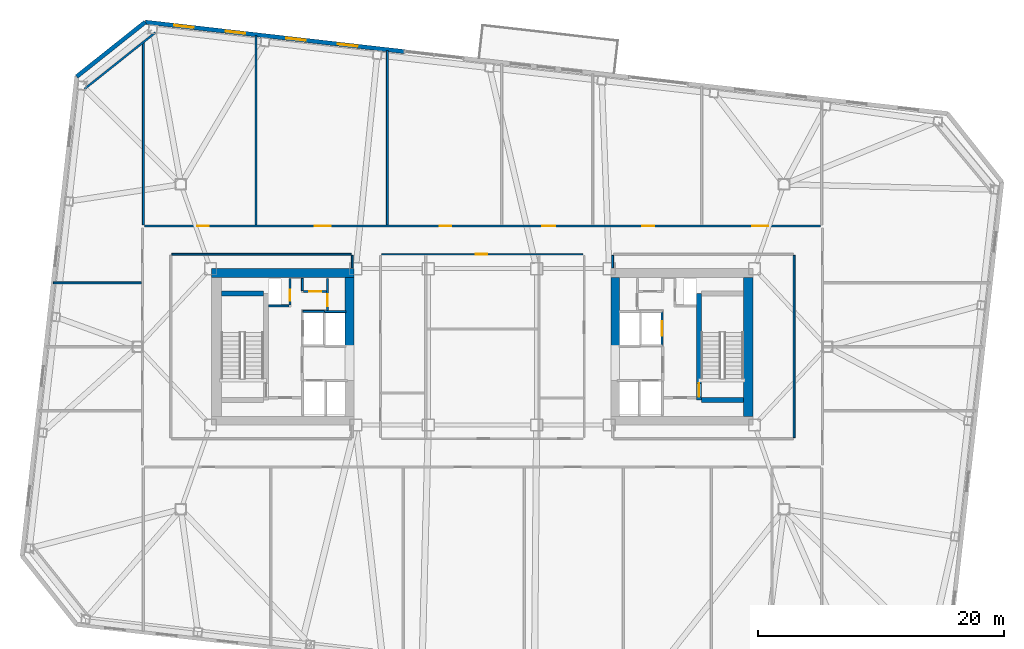
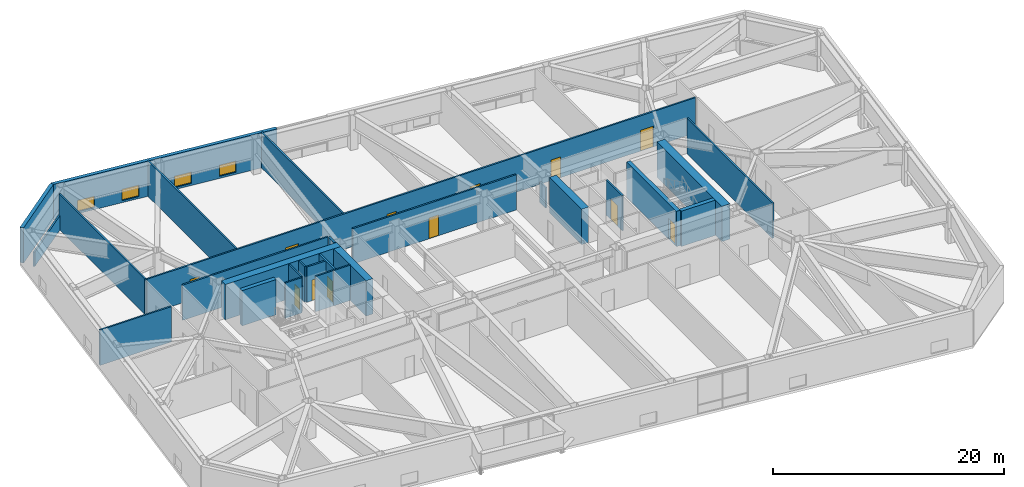
# One storey, part 13 of 21: 28 walls, 12 doors, 4 windows, 16 openings.
"""IFC4 building model written with IfcOpenShell, lengths in metres."""

from ifc_helpers import new_model, si_unit, direction, frame, frame_2d, origin, place, context, subcontext, project, spatial, rectangle, extrude, material, layer, layer_set, type_object, element, fill, save


model = new_model("IFC4")

# Units and contexts
model_context = context("Model", 3, precision=1e-05, world=origin(), true_north=direction((0.0, 1.0)))
body_context = subcontext(model_context, "Body", "Model", "MODEL_VIEW")
ifc_project = project(units=[si_unit("LENGTHUNIT", "METRE"), si_unit("AREAUNIT", "SQUARE_METRE"), si_unit("VOLUMEUNIT", "CUBIC_METRE"), si_unit("PLANEANGLEUNIT", "RADIAN"), si_unit("MASSUNIT", "GRAM", prefix="KILO")], contexts=[model_context])

# Site, building, storey
site_placement = place(None, origin())
site = spatial("IfcSite", under=ifc_project, at=site_placement, CompositionType="ELEMENT")
building_placement = place(site_placement, origin())
building = spatial("IfcBuilding", under=site, at=building_placement, Name="Tavrogorsk Clinical Tower", CompositionType="ELEMENT")
storey_placement = place(building_placement, frame((0.0, 0.0, 89.39990234375)))
storey = spatial("IfcBuildingStorey", under=building, at=storey_placement, Name="L19", CompositionType="ELEMENT", Elevation=89.39990234375)

# Wall, opening, door
ifc_material_1 = material(Name="Lightweight concrete blockwork B15", Category="masonry")
ifc_layer_1 = layer(ifc_material_1, 0.159912109375)
ifc_layer_set_1 = layer_set([ifc_layer_1], Name="Lightweight concrete blockwork B15")
wall_type_1 = type_object("IfcWallType", Name="PartitionWall_160", PredefinedType="PARTITIONING", material=ifc_layer_set_1)
wall_1_placement = place(storey_placement, frame((-12.580078125, 2.9599609375, 0.0), z_axis=(0.0, 0.0, 1.0), x_axis=(0.0, 1.0, 0.0)))
wall_1 = element("IfcWall", 1, at=wall_1_placement, inside=storey, type_object=wall_type_1, Name="L19 Core West Linen Closet Wall", PredefinedType="PARTITIONING", context=body_context, shape_type="SweptSolid", body=[
    extrude(rectangle(XDim=2.60009765625, YDim=0.159912109375, at=frame_2d((1.300048828125, 0.0))), origin(), (0.0, 0.0, 1.0), 3.739990234375),
])
opening_1_placement = place(wall_1_placement, frame((0.35009765625, 0.0, 0.0)))
opening_1 = element("IfcOpeningElement", 2, at=opening_1_placement, cuts=wall_1, Name="Opening ID-02", PredefinedType="OPENING", context=body_context, shape_type="SweptSolid", body=[
    extrude(rectangle(XDim=0.949951171875, YDim=2.199951171875, at=frame_2d((0.47509765625, 1.10009765625))), frame((0.0, 0.08984375, 0.0), z_axis=(0.0, -1.0, 0.0), x_axis=(1.0, 0.0, 0.0)), (0.0, 0.0, 1.0), 0.179931640625),
])
ifc_material_2 = material(Name="Laminated timber leaf on aluminium frame", Category="wood")
door_type_1 = type_object("IfcDoorType", Name="InteriorDoor_ID02_950", OperationType="NOTDEFINED", PredefinedType="DOOR", material=ifc_material_2)
door_1_placement = place(opening_1_placement, origin())
door_1 = element("IfcDoor", 3, at=door_1_placement, inside=storey, type_object=door_type_1, Name="L19 Core West Linen Closet Door", OperationType="SINGLE_SWING_LEFT", OverallHeight=2.199951171875, OverallWidth=0.949951171875, PredefinedType="DOOR", context=body_context, shape_type="SweptSolid", body=[
    extrude(rectangle(XDim=0.949951171875, YDim=2.199951171875, at=frame_2d((0.47509765625, 1.10009765625))), frame((0.0, 0.02490234375, 0.0), z_axis=(0.0, -1.0, 0.0), x_axis=(1.0, 0.0, 0.0)), (0.0, 0.0, 1.0), 0.050048828125),
])
fill(opening_1, door_1)

wall_2_placement = place(storey_placement, frame((-14.554931640625, 4.47998046875, 0.0), z_axis=(0.0, 0.0, 1.0), x_axis=(1.0, 0.0, 0.0)))
wall_2 = element("IfcWall", 4, at=wall_2_placement, inside=storey, type_object=wall_type_1, Name="L19 Core West Housekeeping South Wall", PredefinedType="PARTITIONING", context=body_context, shape_type="SweptSolid", body=[
    extrude(rectangle(XDim=1.889892578125, YDim=0.159912109375, at=frame_2d((0.94482421875, 0.0))), origin(), (0.0, 0.0, 1.0), 3.739990234375),
])
opening_2_placement = place(wall_2_placement, frame((0.5, 0.0, 0.0)))
opening_2 = element("IfcOpeningElement", 5, at=opening_2_placement, cuts=wall_2, Name="Opening ID-02", PredefinedType="OPENING", context=body_context, shape_type="SweptSolid", body=[
    extrude(rectangle(XDim=0.949951171875, YDim=2.199951171875, at=frame_2d((0.47509765625, 1.10009765625))), frame((0.0, 0.08984375, 0.0), z_axis=(0.0, -1.0, 0.0), x_axis=(1.0, 0.0, 0.0)), (0.0, 0.0, 1.0), 0.179931640625),
])
door_2_placement = place(opening_2_placement, origin())
door_2 = element("IfcDoor", 6, at=door_2_placement, inside=storey, type_object=door_type_1, Name="L19 Core West Housekeeping Closet Door", OperationType="SINGLE_SWING_RIGHT", OverallHeight=2.199951171875, OverallWidth=0.949951171875, PredefinedType="DOOR", context=body_context, shape_type="SweptSolid", body=[
    extrude(rectangle(XDim=0.949951171875, YDim=2.199951171875, at=frame_2d((0.47509765625, 1.10009765625))), frame((0.0, 0.02490234375, 0.0), z_axis=(0.0, -1.0, 0.0), x_axis=(1.0, 0.0, 0.0)), (0.0, 0.0, 1.0), 0.050048828125),
])
fill(opening_2, door_2)

# Walls
wall_3_placement = place(storey_placement, frame((-14.639892578125, 4.56494140625, 0.0), z_axis=(0.0, 0.0, 1.0), x_axis=(0.0, 1.0, 0.0)))
element("IfcWall", 7, at=wall_3_placement, inside=storey, type_object=wall_type_1, Name="L19 Core West Housekeeping East Wall", PredefinedType="PARTITIONING", context=body_context, shape_type="SweptSolid", body=[
    extrude(rectangle(XDim=0.9951171875, YDim=0.159912109375, at=frame_2d((0.49755859375, 0.0))), origin(), (0.0, 0.0, 1.0), 3.739990234375),
])
wall_4_placement = place(storey_placement, frame((-26.5712890625, 25.534912109375, 0.0), z_axis=(0.0, 0.0, 1.0), x_axis=(-0.782617962887, -0.622502308564, 0.0)))
element("IfcWall", 8, at=wall_4_placement, inside=storey, type_object=wall_type_1, Name="L19 Corner Exoskeleton Brace Furring Wall 3", PredefinedType="PARTITIONING", context=body_context, shape_type="SweptSolid", body=[
    extrude(rectangle(XDim=7.35400390625, YDim=0.159912109375, at=frame_2d((3.677001953125, 0.0))), origin(), (0.0, 0.0, 1.0), 1.53515625),
])

# Wall, openings, doors
wall_5_placement = place(storey_placement, frame((-27.465087890625, 9.830078125, 0.0), z_axis=(0.0, 0.0, 1.0), x_axis=(1.0, 0.0, 0.0)))
wall_5 = element("IfcWall", 9, at=wall_5_placement, inside=storey, type_object=wall_type_1, Name="L19 Corridor Partition 02", PredefinedType="PARTITIONING", context=body_context, shape_type="SweptSolid", body=[
    extrude(rectangle(XDim=54.93017578125, YDim=0.159912109375, at=frame_2d((27.465087890625, 0.0))), origin(), (0.0, 0.0, 1.0), 3.739990234375),
])
opening_3_placement = place(wall_5_placement, frame((4.294189453125, 0.0, 0.0)))
opening_3 = element("IfcOpeningElement", 10, at=opening_3_placement, cuts=wall_5, Name="Opening ID-02", PredefinedType="OPENING", context=body_context, shape_type="SweptSolid", body=[
    extrude(rectangle(XDim=0.949951171875, YDim=2.199951171875, at=frame_2d((0.47509765625, 1.10009765625))), frame((0.0, 0.08984375, 0.0), z_axis=(0.0, -1.0, 0.0), x_axis=(1.0, 0.0, 0.0)), (0.0, 0.0, 1.0), 0.179931640625),
])
opening_4_placement = place(wall_5_placement, frame((13.840087890625, 0.0, 0.0)))
opening_4 = element("IfcOpeningElement", 11, at=opening_4_placement, cuts=wall_5, Name="Opening ID-01", PredefinedType="OPENING", context=body_context, shape_type="SweptSolid", body=[
    extrude(rectangle(XDim=1.300048828125, YDim=2.199951171875, at=frame_2d((0.64990234375, 1.10009765625))), frame((0.0, 0.08984375, 0.0), z_axis=(0.0, -1.0, 0.0), x_axis=(1.0, 0.0, 0.0)), (0.0, 0.0, 1.0), 0.179931640625),
])
opening_5_placement = place(wall_5_placement, frame((23.9951171875, 0.0, 0.0)))
opening_5 = element("IfcOpeningElement", 12, at=opening_5_placement, cuts=wall_5, Name="Opening ID-02", PredefinedType="OPENING", context=body_context, shape_type="SweptSolid", body=[
    extrude(rectangle(XDim=0.949951171875, YDim=2.199951171875, at=frame_2d((0.47509765625, 1.10009765625))), frame((0.0, 0.08984375, 0.0), z_axis=(0.0, -1.0, 0.0), x_axis=(1.0, 0.0, 0.0)), (0.0, 0.0, 1.0), 0.179931640625),
])
opening_6_placement = place(wall_5_placement, frame((32.3349609375, 0.0, 0.0)))
opening_6 = element("IfcOpeningElement", 13, at=opening_6_placement, cuts=wall_5, Name="Opening ID-04", PredefinedType="OPENING", context=body_context, shape_type="SweptSolid", body=[
    extrude(rectangle(XDim=1.050048828125, YDim=2.199951171875, at=frame_2d((0.52490234375, 1.10009765625))), frame((0.0, 0.08984375, 0.0), z_axis=(0.0, -1.0, 0.0), x_axis=(1.0, 0.0, 0.0)), (0.0, 0.0, 1.0), 0.179931640625),
])
opening_7_placement = place(wall_5_placement, frame((40.455078125, 0.0, 0.0)))
opening_7 = element("IfcOpeningElement", 14, at=opening_7_placement, cuts=wall_5, Name="Opening ID-02", PredefinedType="OPENING", context=body_context, shape_type="SweptSolid", body=[
    extrude(rectangle(XDim=0.949951171875, YDim=2.199951171875, at=frame_2d((0.47509765625, 1.10009765625))), frame((0.0, 0.08984375, 0.0), z_axis=(0.0, -1.0, 0.0), x_axis=(1.0, 0.0, 0.0)), (0.0, 0.0, 1.0), 0.179931640625),
])
opening_8_placement = place(wall_5_placement, frame((49.380859375, 0.0, 0.0)))
opening_8 = element("IfcOpeningElement", 15, at=opening_8_placement, cuts=wall_5, Name="Opening ID-01", PredefinedType="OPENING", context=body_context, shape_type="SweptSolid", body=[
    extrude(rectangle(XDim=1.300048828125, YDim=2.199951171875, at=frame_2d((0.64990234375, 1.10009765625))), frame((0.0, 0.08984375, 0.0), z_axis=(0.0, -1.0, 0.0), x_axis=(1.0, 0.0, 0.0)), (0.0, 0.0, 1.0), 0.179931640625),
])
ifc_material_3 = material(Name="Antibacterial HPL consultation door on aluminium frame", Category="aluminium")
door_type_2 = type_object("IfcDoorType", Name="ConsultDoor_ID04_1050", OperationType="NOTDEFINED", PredefinedType="DOOR", material=ifc_material_3)
door_3_placement = place(opening_6_placement, origin())
door_3 = element("IfcDoor", 16, at=door_3_placement, inside=storey, type_object=door_type_2, Name="L19 Terrace Recuperation Day Room & Lounge Door", OperationType="SINGLE_SWING_RIGHT", OverallHeight=2.199951171875, OverallWidth=1.050048828125, PredefinedType="DOOR", context=body_context, shape_type="SweptSolid", body=[
    extrude(rectangle(XDim=1.050048828125, YDim=2.199951171875, at=frame_2d((0.52490234375, 1.10009765625))), frame((0.0, 0.02490234375, 0.0), z_axis=(0.0, -1.0, 0.0), x_axis=(1.0, 0.0, 0.0)), (0.0, 0.0, 1.0), 0.050048828125),
])
fill(opening_6, door_3)
door_4_placement = place(opening_3_placement, origin())
door_4 = element("IfcDoor", 17, at=door_4_placement, inside=storey, type_object=door_type_1, Name="L19 North Physiotherapy Rehab Studio 01 Door", OperationType="SINGLE_SWING_LEFT", OverallHeight=2.199951171875, OverallWidth=0.949951171875, PredefinedType="DOOR", context=body_context, shape_type="SweptSolid", body=[
    extrude(rectangle(XDim=0.949951171875, YDim=2.199951171875, at=frame_2d((0.47509765625, 1.10009765625))), frame((0.0, 0.02490234375, 0.0), z_axis=(0.0, -1.0, 0.0), x_axis=(1.0, 0.0, 0.0)), (0.0, 0.0, 1.0), 0.050048828125),
])
fill(opening_3, door_4)
door_5_placement = place(opening_5_placement, origin())
door_5 = element("IfcDoor", 18, at=door_5_placement, inside=storey, type_object=door_type_1, Name="L19 North Clinical Examination Suite 02B Door", OperationType="SINGLE_SWING_LEFT", OverallHeight=2.199951171875, OverallWidth=0.949951171875, PredefinedType="DOOR", context=body_context, shape_type="SweptSolid", body=[
    extrude(rectangle(XDim=0.949951171875, YDim=2.199951171875, at=frame_2d((0.47509765625, 1.10009765625))), frame((0.0, 0.02490234375, 0.0), z_axis=(0.0, -1.0, 0.0), x_axis=(1.0, 0.0, 0.0)), (0.0, 0.0, 1.0), 0.050048828125),
])
fill(opening_5, door_5)
door_6_placement = place(opening_7_placement, origin())
door_6 = element("IfcDoor", 19, at=door_6_placement, inside=storey, type_object=door_type_1, Name="L19 North Patient & Family Quiet Lounge 04 Door", OperationType="SINGLE_SWING_LEFT", OverallHeight=2.199951171875, OverallWidth=0.949951171875, PredefinedType="DOOR", context=body_context, shape_type="SweptSolid", body=[
    extrude(rectangle(XDim=0.949951171875, YDim=2.199951171875, at=frame_2d((0.47509765625, 1.10009765625))), frame((0.0, 0.02490234375, 0.0), z_axis=(0.0, -1.0, 0.0), x_axis=(1.0, 0.0, 0.0)), (0.0, 0.0, 1.0), 0.050048828125),
])
fill(opening_7, door_6)
ifc_material_4 = material(Name="Antibacterial HPL medical leaf on aluminium frame", Category="aluminium")
door_type_3 = type_object("IfcDoorType", Name="WardBedDoor_ID01_1300", OperationType="NOTDEFINED", PredefinedType="DOOR", material=ifc_material_4)
door_7_placement = place(opening_4_placement, origin())
door_7 = element("IfcDoor", 20, at=door_7_placement, inside=storey, type_object=door_type_3, Name="L19 North Step-Down Telemetry Ward 02A Door", OperationType="SINGLE_SWING_RIGHT", OverallHeight=2.199951171875, OverallWidth=1.300048828125, PredefinedType="DOOR", context=body_context, shape_type="SweptSolid", body=[
    extrude(rectangle(XDim=1.300048828125, YDim=2.199951171875, at=frame_2d((0.64990234375, 1.10009765625))), frame((0.0, 0.02490234375, 0.0), z_axis=(0.0, -1.0, 0.0), x_axis=(1.0, 0.0, 0.0)), (0.0, 0.0, 1.0), 0.050048828125),
])
fill(opening_4, door_7)
door_8_placement = place(opening_8_placement, origin())
door_8 = element("IfcDoor", 21, at=door_8_placement, inside=storey, type_object=door_type_3, Name="L19 North Acute Isolation Suite 05 Door", OperationType="SINGLE_SWING_RIGHT", OverallHeight=2.199951171875, OverallWidth=1.300048828125, PredefinedType="DOOR", context=body_context, shape_type="SweptSolid", body=[
    extrude(rectangle(XDim=1.300048828125, YDim=2.199951171875, at=frame_2d((0.64990234375, 1.10009765625))), frame((0.0, 0.02490234375, 0.0), z_axis=(0.0, -1.0, 0.0), x_axis=(1.0, 0.0, 0.0)), (0.0, 0.0, 1.0), 0.050048828125),
])
fill(opening_8, door_8)

# Walls
wall_6_placement = place(storey_placement, frame((10.580078125, 7.43505859375, 0.0), z_axis=(0.0, 0.0, 1.0), x_axis=(0.0, -1.0, 0.0)))
element("IfcWall", 22, at=wall_6_placement, inside=storey, type_object=wall_type_1, Name="L19 Corridor Partition 06", PredefinedType="PARTITIONING", context=body_context, shape_type="SweptSolid", body=[
    extrude(rectangle(XDim=1.01513671875, YDim=0.159912109375, at=frame_2d((0.507568359375, 0.0))), origin(), (0.0, 0.0, 1.0), 2.135009765625),
])
wall_7_placement = place(storey_placement, frame((25.320068359375, -7.385009765625, 0.0), z_axis=(0.0, 0.0, 1.0), x_axis=(0.0, 1.0, 0.0)))
element("IfcWall", 23, at=wall_7_placement, inside=storey, type_object=wall_type_1, Name="L19 Corridor Partition 09", PredefinedType="PARTITIONING", context=body_context, shape_type="SweptSolid", body=[
    extrude(rectangle(XDim=14.820068359375, YDim=0.159912109375, at=frame_2d((7.41015625, 0.0))), origin(), (0.0, 0.0, 1.0), 3.739990234375),
])

# Wall, opening, door
wall_8_placement = place(storey_placement, frame((8.18505859375, 7.52001953125, 0.0), z_axis=(0.0, 0.0, 1.0), x_axis=(-1.0, 0.0, 0.0)))
wall_8 = element("IfcWall", 24, at=wall_8_placement, inside=storey, type_object=wall_type_1, Name="L19 Corridor Partition 11", PredefinedType="PARTITIONING", context=body_context, shape_type="SweptSolid", body=[
    extrude(rectangle(XDim=16.3701171875, YDim=0.159912109375, at=frame_2d((8.18505859375, 0.0))), origin(), (0.0, 0.0, 1.0), 3.739990234375),
])
opening_9_placement = place(wall_8_placement, frame((7.794921875, 0.0, 0.0)))
opening_9 = element("IfcOpeningElement", 25, at=opening_9_placement, cuts=wall_8, Name="Opening ID-02", PredefinedType="OPENING", context=body_context, shape_type="SweptSolid", body=[
    extrude(rectangle(XDim=0.949951171875, YDim=2.199951171875, at=frame_2d((0.47509765625, 1.10009765625))), frame((0.0, 0.08984375, 0.0), z_axis=(0.0, -1.0, 0.0), x_axis=(1.0, 0.0, 0.0)), (0.0, 0.0, 1.0), 0.179931640625),
])
door_9_placement = place(opening_9_placement, origin())
door_9 = element("IfcDoor", 26, at=door_9_placement, inside=storey, type_object=door_type_1, Name="L19 Nurses' Station & Triage Hub Door", OperationType="SINGLE_SWING_LEFT", OverallHeight=2.199951171875, OverallWidth=0.949951171875, PredefinedType="DOOR", context=body_context, shape_type="SweptSolid", body=[
    extrude(rectangle(XDim=0.949951171875, YDim=2.199951171875, at=frame_2d((0.47509765625, 1.10009765625))), frame((0.0, 0.02490234375, 0.0), z_axis=(0.0, -1.0, 0.0), x_axis=(1.0, 0.0, 0.0)), (0.0, 0.0, 1.0), 0.050048828125),
])
fill(opening_9, door_9)

# Walls
wall_9_placement = place(storey_placement, frame((-10.580078125, 6.419921875, 0.0), z_axis=(0.0, 0.0, 1.0), x_axis=(0.0, 1.0, 0.0)))
element("IfcWall", 27, at=wall_9_placement, inside=storey, type_object=wall_type_1, Name="L19 Corridor Partition 15", PredefinedType="PARTITIONING", context=body_context, shape_type="SweptSolid", body=[
    extrude(rectangle(XDim=1.01513671875, YDim=0.159912109375, at=frame_2d((0.507568359375, 0.0))), origin(), (0.0, 0.0, 1.0), 3.739990234375),
])
wall_10_placement = place(storey_placement, frame((-10.6650390625, 7.52001953125, 0.0), z_axis=(0.0, 0.0, 1.0), x_axis=(-1.0, 0.0, 0.0)))
element("IfcWall", 28, at=wall_10_placement, inside=storey, type_object=wall_type_1, Name="L19 Corridor Partition 16", PredefinedType="PARTITIONING", context=body_context, shape_type="SweptSolid", body=[
    extrude(rectangle(XDim=14.570068359375, YDim=0.159912109375, at=frame_2d((7.28515625, 0.0))), origin(), (0.0, 0.0, 1.0), 3.739990234375),
])
wall_11_placement = place(storey_placement, frame((-27.550048828125, 9.9150390625, 0.0), z_axis=(0.0, 0.0, 1.0), x_axis=(0.0, 1.0, 0.0)))
element("IfcWall", 29, at=wall_11_placement, inside=storey, type_object=wall_type_1, Name="L19 NW Wing Closure Partition", PredefinedType="PARTITIONING", context=body_context, shape_type="SweptSolid", body=[
    extrude(rectangle(XDim=14.858642578125, YDim=0.159912109375, at=frame_2d((7.42919921875, 0.0))), origin(), (0.0, 0.0, 1.0), 3.739990234375),
])
wall_12_placement = place(storey_placement, frame((-18.39990234375, 9.9150390625, 0.0), z_axis=(0.0, 0.0, 1.0), x_axis=(0.0, 1.0, 0.0)))
element("IfcWall", 30, at=wall_12_placement, inside=storey, type_object=wall_type_1, Name="L19 North Room Partition 1", PredefinedType="PARTITIONING", context=body_context, shape_type="SweptSolid", body=[
    extrude(rectangle(XDim=15.373779296875, YDim=0.159912109375, at=frame_2d((7.68701171875, 0.0))), origin(), (0.0, 0.0, 1.0), 3.739990234375),
])
wall_13_placement = place(storey_placement, frame((-7.719970703125, 9.9150390625, 0.0), z_axis=(0.0, 0.0, 1.0), x_axis=(0.0, 1.0, 0.0)))
element("IfcWall", 31, at=wall_13_placement, inside=storey, type_object=wall_type_1, Name="L19 North Sub-Partition 2", PredefinedType="PARTITIONING", context=body_context, shape_type="SweptSolid", body=[
    extrude(rectangle(XDim=14.156982421875, YDim=0.159912109375, at=frame_2d((7.07861328125, 0.0))), origin(), (0.0, 0.0, 1.0), 3.739990234375),
])
wall_14_placement = place(storey_placement, frame((-34.857177734375, 5.199951171875, 0.0), z_axis=(0.0, 0.0, 1.0), x_axis=(1.0, 0.0, 0.0)))
element("IfcWall", 32, at=wall_14_placement, inside=storey, type_object=wall_type_1, Name="L19 W Wing Divider 3", PredefinedType="PARTITIONING", context=body_context, shape_type="SweptSolid", body=[
    extrude(rectangle(XDim=7.14208984375, YDim=0.159912109375, at=frame_2d((3.571044921875, 0.0))), origin(), (0.0, 0.0, 1.0), 3.739990234375),
])

# Wall, openings, windows
ifc_material_5 = material(Name="Precast concrete B45 with limestone cladding", Category="masonry")
ifc_layer_2 = layer(ifc_material_5, 0.340087890625)
ifc_layer_set_2 = layer_set([ifc_layer_2], Name="Precast concrete B45 with limestone cladding")
wall_type_2 = type_object("IfcWallType", Name="PrecastLimestoneWall_340", PredefinedType="STANDARD", material=ifc_layer_set_2)
wall_15_placement = place(storey_placement, frame((-6.314453125, 23.982177734375, 0.0), z_axis=(0.0, 0.0, 1.0), x_axis=(-0.993571362037, 0.113207546299, 0.0)))
wall_15 = element("IfcWall", 33, at=wall_15_placement, inside=storey, type_object=wall_type_2, Name="L19 N Limestone Facade Wall 3", PredefinedType="STANDARD", context=body_context, shape_type="SweptSolid", body=[
    extrude(rectangle(XDim=21.222900390625, YDim=0.340087890625, at=frame_2d((10.611328125, 0.0))), origin(), (0.0, 0.0, 1.0), 3.739990234375),
])
opening_10_placement = place(wall_15_placement, frame((17.264892578125, 0.0, 0.219970703125)))
opening_10 = element("IfcOpeningElement", 34, at=opening_10_placement, cuts=wall_15, Name="Opening WN-09", PredefinedType="OPENING", context=body_context, shape_type="SweptSolid", body=[
    extrude(rectangle(XDim=1.60009765625, YDim=1.199951171875, at=frame_2d((0.800048828125, 0.60009765625))), frame((0.0, 0.179931640625, 0.0), z_axis=(0.0, -1.0, 0.0), x_axis=(1.0, 0.0, 0.0)), (0.0, 0.0, 1.0), 0.360107421875),
])
opening_11_placement = place(wall_15_placement, frame((13.043701171875, 0.0, 0.219970703125)))
opening_11 = element("IfcOpeningElement", 35, at=opening_11_placement, cuts=wall_15, Name="Opening WN-09", PredefinedType="OPENING", context=body_context, shape_type="SweptSolid", body=[
    extrude(rectangle(XDim=1.60009765625, YDim=1.199951171875, at=frame_2d((0.800048828125, 0.60009765625))), frame((0.0, 0.179931640625, 0.0), z_axis=(0.0, -1.0, 0.0), x_axis=(1.0, 0.0, 0.0)), (0.0, 0.0, 1.0), 0.360107421875),
])
opening_12_placement = place(wall_15_placement, frame((8.087890625, 0.0, 0.219970703125)))
opening_12 = element("IfcOpeningElement", 36, at=opening_12_placement, cuts=wall_15, Name="Opening WN-09", PredefinedType="OPENING", context=body_context, shape_type="SweptSolid", body=[
    extrude(rectangle(XDim=1.60009765625, YDim=1.199951171875, at=frame_2d((0.800048828125, 0.60009765625))), frame((0.0, 0.179931640625, 0.0), z_axis=(0.0, -1.0, 0.0), x_axis=(1.0, 0.0, 0.0)), (0.0, 0.0, 1.0), 0.360107421875),
])
opening_13_placement = place(wall_15_placement, frame((3.866455078125, 0.0, 0.219970703125)))
opening_13 = element("IfcOpeningElement", 37, at=opening_13_placement, cuts=wall_15, Name="Opening WN-09", PredefinedType="OPENING", context=body_context, shape_type="SweptSolid", body=[
    extrude(rectangle(XDim=1.60009765625, YDim=1.199951171875, at=frame_2d((0.800048828125, 0.60009765625))), frame((0.0, 0.179931640625, 0.0), z_axis=(0.0, -1.0, 0.0), x_axis=(1.0, 0.0, 0.0)), (0.0, 0.0, 1.0), 0.360107421875),
])
ifc_material_6 = material(Name="Thermally broken aluminium frame and triple IGU", Category="aluminium")
window_type = type_object("IfcWindowType", Name="LowHeadTransWin_1600x1200", PartitioningType="DOUBLE_PANEL_VERTICAL", PredefinedType="WINDOW", material=ifc_material_6)
window_1_placement = place(opening_10_placement, origin())
window_1 = element("IfcWindow", 38, at=window_1_placement, inside=storey, type_object=window_type, Name="L19 N Chicago Window 01", OverallHeight=1.199951171875, OverallWidth=1.60009765625, PartitioningType="SINGLE_PANEL", PredefinedType="WINDOW", context=body_context, shape_type="SweptSolid", body=[
    extrude(rectangle(XDim=1.60009765625, YDim=1.199951171875, at=frame_2d((0.800048828125, 0.60009765625))), frame((0.0, 0.030029296875, 0.0), z_axis=(0.0, -1.0, 0.0), x_axis=(1.0, 0.0, 0.0)), (0.0, 0.0, 1.0), 0.06005859375),
])
fill(opening_10, window_1)
window_2_placement = place(opening_11_placement, origin())
window_2 = element("IfcWindow", 39, at=window_2_placement, inside=storey, type_object=window_type, Name="L19 N Chicago Window 02", OverallHeight=1.199951171875, OverallWidth=1.60009765625, PartitioningType="SINGLE_PANEL", PredefinedType="WINDOW", context=body_context, shape_type="SweptSolid", body=[
    extrude(rectangle(XDim=1.60009765625, YDim=1.199951171875, at=frame_2d((0.800048828125, 0.60009765625))), frame((0.0, 0.030029296875, 0.0), z_axis=(0.0, -1.0, 0.0), x_axis=(1.0, 0.0, 0.0)), (0.0, 0.0, 1.0), 0.06005859375),
])
fill(opening_11, window_2)
window_3_placement = place(opening_12_placement, origin())
window_3 = element("IfcWindow", 40, at=window_3_placement, inside=storey, type_object=window_type, Name="L19 N Chicago Window 03", OverallHeight=1.199951171875, OverallWidth=1.60009765625, PartitioningType="SINGLE_PANEL", PredefinedType="WINDOW", context=body_context, shape_type="SweptSolid", body=[
    extrude(rectangle(XDim=1.60009765625, YDim=1.199951171875, at=frame_2d((0.800048828125, 0.60009765625))), frame((0.0, 0.030029296875, 0.0), z_axis=(0.0, -1.0, 0.0), x_axis=(1.0, 0.0, 0.0)), (0.0, 0.0, 1.0), 0.06005859375),
])
fill(opening_12, window_3)
window_4_placement = place(opening_13_placement, origin())
window_4 = element("IfcWindow", 41, at=window_4_placement, inside=storey, type_object=window_type, Name="L19 N Chicago Window 04", OverallHeight=1.199951171875, OverallWidth=1.60009765625, PartitioningType="SINGLE_PANEL", PredefinedType="WINDOW", context=body_context, shape_type="SweptSolid", body=[
    extrude(rectangle(XDim=1.60009765625, YDim=1.199951171875, at=frame_2d((0.800048828125, 0.60009765625))), frame((0.0, 0.030029296875, 0.0), z_axis=(0.0, -1.0, 0.0), x_axis=(1.0, 0.0, 0.0)), (0.0, 0.0, 1.0), 0.06005859375),
])
fill(opening_13, window_4)

# Walls
wall_16_placement = place(storey_placement, frame((-27.40087890625, 26.384765625, 0.0), z_axis=(0.0, 0.0, 1.0), x_axis=(-0.78261359446, -0.622507800567, 0.0)))
element("IfcWall", 42, at=wall_16_placement, inside=storey, type_object=wall_type_2, Name="L19 Chamfered Corner Wall 3", PredefinedType="STANDARD", context=body_context, shape_type="SweptSolid", body=[
    extrude(rectangle(XDim=7.113525390625, YDim=0.340087890625, at=frame_2d((3.556640625, 0.0))), origin(), (0.0, 0.0, 1.0), 3.739990234375),
])
ifc_material_7 = material(Name="Lightweight concrete blockwork B25", Category="masonry")
ifc_layer_3 = layer(ifc_material_7, 0.159912109375)
ifc_layer_set_3 = layer_set([ifc_layer_3], Name="Lightweight concrete blockwork B25")
wall_type_3 = type_object("IfcWallType", Name="ShaftWall_160", PredefinedType="PARTITIONING", material=ifc_layer_set_3)
wall_17_placement = place(storey_placement, frame((-14.60009765625, 2.8798828125, 0.0), z_axis=(0.0, 0.0, 1.0), x_axis=(1.0, 0.0, 0.0)))
element("IfcWall", 43, at=wall_17_placement, inside=storey, type_object=wall_type_3, Name="L19 FFL-W Shaft North Wall", PredefinedType="PARTITIONING", context=body_context, shape_type="SweptSolid", body=[
    extrude(rectangle(XDim=1.760009765625, YDim=0.159912109375, at=frame_2d((0.8798828125, 0.0))), origin(), (0.0, 0.0, 1.0), 3.739990234375),
])
wall_18_placement = place(storey_placement, frame((-12.820068359375, 2.860107421875, 0.0), z_axis=(0.0, 0.0, 1.0), x_axis=(1.0, 0.0, 0.0)))
element("IfcWall", 44, at=wall_18_placement, inside=storey, type_object=wall_type_3, Name="L19 LP-H1 High-Zone Lift Rear Wall", PredefinedType="PARTITIONING", context=body_context, shape_type="SweptSolid", body=[
    extrude(rectangle(XDim=1.719970703125, YDim=0.159912109375, at=frame_2d((0.85986328125, 0.0))), origin(), (0.0, 0.0, 1.0), 3.739990234375),
])

# Wall, opening, door
wall_19_placement = place(storey_placement, frame((14.60009765625, 0.1201171875, 0.0), z_axis=(0.0, 0.0, 1.0), x_axis=(0.0, 1.0, 0.0)))
wall_19 = element("IfcWall", 45, at=wall_19_placement, inside=storey, type_object=wall_type_3, Name="L19 FFL-E Firefighting Lift Front Wall", PredefinedType="PARTITIONING", context=body_context, shape_type="SweptSolid", body=[
    extrude(rectangle(XDim=2.739990234375, YDim=0.159912109375, at=frame_2d((1.3701171875, 0.0))), origin(), (0.0, 0.0, 1.0), 3.739990234375),
])
opening_14_placement = place(wall_19_placement, frame((0.77001953125, 0.0, 0.0)))
opening_14 = element("IfcOpeningElement", 46, at=opening_14_placement, cuts=wall_19, Name="Opening LD", PredefinedType="OPENING", context=body_context, shape_type="SweptSolid", body=[
    extrude(rectangle(XDim=1.199951171875, YDim=2.199951171875, at=frame_2d((0.60009765625, 1.10009765625))), frame((0.0, 0.08984375, 0.0), z_axis=(0.0, -1.0, 0.0), x_axis=(1.0, 0.0, 0.0)), (0.0, 0.0, 1.0), 0.179931640625),
])
ifc_material_8 = material(Name="Brushed stainless steel AISI 304 sliding doors", Category="steel")
door_type_4 = type_object("IfcDoorType", Name="LiftLandingDoor_LD_1200", OperationType="SLIDING_TO_LEFT", PredefinedType="DOOR", material=ifc_material_8)
door_10_placement = place(opening_14_placement, origin())
door_10 = element("IfcDoor", 47, at=door_10_placement, inside=storey, type_object=door_type_4, Name="L19 FFL-E Sliding Lift Landing Door", OperationType="SLIDING_TO_LEFT", OverallHeight=2.199951171875, OverallWidth=1.199951171875, PredefinedType="DOOR", context=body_context, shape_type="SweptSolid", body=[
    extrude(rectangle(XDim=1.199951171875, YDim=2.199951171875, at=frame_2d((0.60009765625, 1.10009765625))), frame((0.0, 0.02490234375, 0.0), z_axis=(0.0, -1.0, 0.0), x_axis=(1.0, 0.0, 0.0)), (0.0, 0.0, 1.0), 0.050048828125),
])
fill(opening_14, door_10)

wall_20_placement = place(storey_placement, frame((-15.639892578125, 3.405029296875, 0.0), z_axis=(0.0, 0.0, 1.0), x_axis=(0.0, 1.0, 0.0)))
wall_20 = element("IfcWall", 48, at=wall_20_placement, inside=storey, type_object=wall_type_3, Name="L19 Core West Riser West Wall", PredefinedType="PARTITIONING", context=body_context, shape_type="SweptSolid", body=[
    extrude(rectangle(XDim=2.155029296875, YDim=0.159912109375, at=frame_2d((1.07763671875, 0.0))), origin(), (0.0, 0.0, 1.0), 3.739990234375),
])
opening_15_placement = place(wall_20_placement, frame((0.35009765625, 0.0, 0.0)))
opening_15 = element("IfcOpeningElement", 49, at=opening_15_placement, cuts=wall_20, Name="Opening FD-02", PredefinedType="OPENING", context=body_context, shape_type="SweptSolid", body=[
    extrude(rectangle(XDim=0.89990234375, YDim=2.199951171875, at=frame_2d((0.449951171875, 1.10009765625))), frame((0.0, 0.08984375, 0.0), z_axis=(0.0, -1.0, 0.0), x_axis=(1.0, 0.0, 0.0)), (0.0, 0.0, 1.0), 0.179931640625),
])
ifc_material_9 = material(Name="Galvanised steel fire-rated door assembly", Category="steel")
door_type_5 = type_object("IfcDoorType", Name="FireDoor_FD02_900", OperationType="NOTDEFINED", PredefinedType="DOOR", material=ifc_material_9)
door_11_placement = place(opening_15_placement, origin())
door_11 = element("IfcDoor", 50, at=door_11_placement, inside=storey, type_object=door_type_5, Name="L19 Core West Electrical Riser Access Door", OperationType="SINGLE_SWING_LEFT", OverallHeight=2.199951171875, OverallWidth=0.89990234375, PredefinedType="DOOR", context=body_context, shape_type="SweptSolid", body=[
    extrude(rectangle(XDim=0.89990234375, YDim=2.199951171875, at=frame_2d((0.449951171875, 1.10009765625))), frame((0.0, 0.02490234375, 0.0), z_axis=(0.0, -1.0, 0.0), x_axis=(1.0, 0.0, 0.0)), (0.0, 0.0, 1.0), 0.050048828125),
])
fill(opening_15, door_11)

# Walls
wall_21_placement = place(storey_placement, frame((-17.3798828125, 3.320068359375, 0.0), z_axis=(0.0, 0.0, 1.0), x_axis=(1.0, 0.0, 0.0)))
element("IfcWall", 51, at=wall_21_placement, inside=storey, type_object=wall_type_3, Name="L19 Core West Riser South Wall", PredefinedType="PARTITIONING", context=body_context, shape_type="SweptSolid", body=[
    extrude(rectangle(XDim=1.65478515625, YDim=0.159912109375, at=frame_2d((0.827392578125, 0.0))), origin(), (0.0, 0.0, 1.0), 3.739990234375),
])
ifc_material_10 = material(Name="Concrete B80", Category="concrete")
ifc_layer_4 = layer(ifc_material_10, 0.39990234375)
ifc_layer_set_4 = layer_set([ifc_layer_4], Name="Concrete B80")
wall_type_4 = type_object("IfcWallType", Name="ShearWall_400", PredefinedType="SHEAR", material=ifc_layer_set_4)
wall_22_placement = place(storey_placement, frame((-21.199951171875, 4.324951171875, 0.0), z_axis=(0.0, 0.0, 1.0), x_axis=(1.0, 0.0, 0.0)))
element("IfcWall", 52, at=wall_22_placement, inside=storey, type_object=wall_type_4, Name="L19 Core West Stair Shaft North Shear Wall", PredefinedType="SHEAR", context=body_context, shape_type="SweptSolid", body=[
    extrude(rectangle(XDim=3.39990234375, YDim=0.39990234375, at=frame_2d((1.699951171875, 0.0))), origin(), (0.0, 0.0, 1.0), 3.739990234375),
])

# Wall, opening, door
wall_23_placement = place(storey_placement, frame((17.60009765625, -4.324951171875, 0.0), z_axis=(0.0, 0.0, 1.0), x_axis=(0.0, 1.0, 0.0)))
wall_23 = element("IfcWall", 53, at=wall_23_placement, inside=storey, type_object=wall_type_4, Name="L19 Core East Stair Shaft Inner Shear Wall", PredefinedType="SHEAR", context=body_context, shape_type="SweptSolid", body=[
    extrude(rectangle(XDim=8.64990234375, YDim=0.39990234375, at=frame_2d((4.324951171875, 0.0))), origin(), (0.0, 0.0, 1.0), 3.739990234375),
])
opening_16_placement = place(wall_23_placement, frame((0.25, 0.0, 0.0)))
opening_16 = element("IfcOpeningElement", 54, at=opening_16_placement, cuts=wall_23, Name="Opening SD-01", PredefinedType="OPENING", context=body_context, shape_type="SweptSolid", body=[
    extrude(rectangle(XDim=1.10009765625, YDim=2.199951171875, at=frame_2d((0.550048828125, 1.10009765625))), frame((0.0, 0.2099609375, 0.0), z_axis=(0.0, -1.0, 0.0), x_axis=(1.0, 0.0, 0.0)), (0.0, 0.0, 1.0), 0.419921875),
])
ifc_material_11 = material(Name="Galvanised steel smoke-tight fire door assembly", Category="steel")
door_type_6 = type_object("IfcDoorType", Name="StairFireDoor_SD01_1100", OperationType="NOTDEFINED", PredefinedType="DOOR", material=ifc_material_11)
door_12_placement = place(opening_16_placement, origin())
door_12 = element("IfcDoor", 55, at=door_12_placement, inside=storey, type_object=door_type_6, Name="L19 ST-E Exit Stair Door", OperationType="SINGLE_SWING_LEFT", OverallHeight=2.199951171875, OverallWidth=1.10009765625, PredefinedType="DOOR", context=body_context, shape_type="SweptSolid", body=[
    extrude(rectangle(XDim=1.10009765625, YDim=2.199951171875, at=frame_2d((0.550048828125, 1.10009765625))), frame((0.0, 0.02490234375, 0.0), z_axis=(0.0, -1.0, 0.0), x_axis=(1.0, 0.0, 0.0)), (0.0, 0.0, 1.0), 0.050048828125),
])
fill(opening_16, door_12)

# Walls
wall_24_placement = place(storey_placement, frame((17.800048828125, -4.324951171875, 0.0), z_axis=(0.0, 0.0, 1.0), x_axis=(1.0, 0.0, 0.0)))
element("IfcWall", 56, at=wall_24_placement, inside=storey, type_object=wall_type_4, Name="L19 Core East Stair Shaft South Shear Wall", PredefinedType="SHEAR", context=body_context, shape_type="SweptSolid", body=[
    extrude(rectangle(XDim=3.39990234375, YDim=0.39990234375, at=frame_2d((1.699951171875, 0.0))), origin(), (0.0, 0.0, 1.0), 3.739990234375),
])
ifc_material_12 = material(Name="Concrete B80", Category="concrete")
ifc_layer_5 = layer(ifc_material_12, 0.699951171875)
ifc_layer_set_5 = layer_set([ifc_layer_5], Name="Concrete B80")
wall_type_5 = type_object("IfcWallType", Name="ShearWall_700", PredefinedType="SHEAR", material=ifc_layer_set_5)
wall_25_placement = place(storey_placement, frame((-22.0, 6.0, 0.0), z_axis=(0.0, 0.0, 1.0), x_axis=(1.0, 0.0, 0.0)))
element("IfcWall", 57, at=wall_25_placement, inside=storey, type_object=wall_type_5, Name="L19 Core West North Shear Wall", PredefinedType="SHEAR", context=body_context, shape_type="SweptSolid", body=[
    extrude(rectangle(XDim=11.550048828125, YDim=0.699951171875, at=frame_2d((5.77490234375, 0.0))), origin(), (0.0, 0.0, 1.0), 3.739990234375),
])
for number, where, z_axis, x_axis, name in (
    (58, (-10.800048828125, 0.050048828125, 0.0), (0.0, 0.0, 1.0), (0.0, 1.0, 0.0), "L19 Core West Inner North Pier"),
    (59, (10.800048828125, 0.050048828125, 0.0), (0.0, 0.0, 1.0), (0.0, 1.0, 0.0), "L19 Core East Inner North Pier"),
):
    element("IfcWall", number, at=place(storey_placement, frame(where, z_axis=z_axis, x_axis=x_axis)), inside=storey, type_object=wall_type_5, Name=name, PredefinedType="SHEAR", context=body_context, shape_type="SweptSolid", body=[
        extrude(rectangle(XDim=5.599853515625, YDim=0.699951171875, at=frame_2d((2.7998046875, 0.0))), origin(), (0.0, 0.0, 1.0), 3.739990234375),
    ])
ifc_material_13 = material(Name="Concrete B80", Category="concrete")
ifc_layer_6 = layer(ifc_material_13, 0.800048828125)
ifc_layer_set_6 = layer_set([ifc_layer_6], Name="Concrete B80")
wall_type_6 = type_object("IfcWallType", Name="ShearWall_800", PredefinedType="SHEAR", material=ifc_layer_set_6)
wall_26_placement = place(storey_placement, frame((21.60009765625, -5.64990234375, 0.0), z_axis=(0.0, 0.0, 1.0), x_axis=(0.0, 1.0, 0.0)))
element("IfcWall", 60, at=wall_26_placement, inside=storey, type_object=wall_type_6, Name="L19 Core East End Shear Wall", PredefinedType="SHEAR", context=body_context, shape_type="SweptSolid", body=[
    extrude(rectangle(XDim=11.2998046875, YDim=0.800048828125, at=frame_2d((5.64990234375, 0.0))), origin(), (0.0, 0.0, 1.0), 3.739990234375),
])

save(model, "model.ifc")
